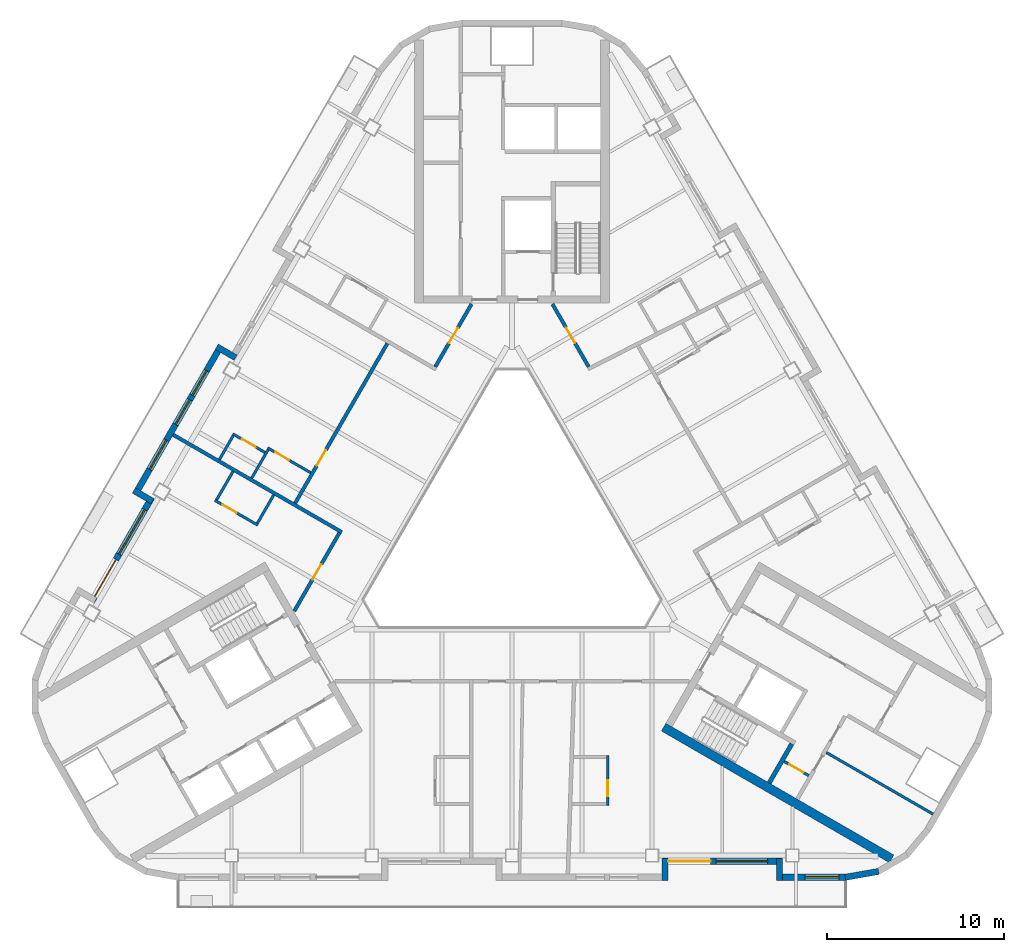
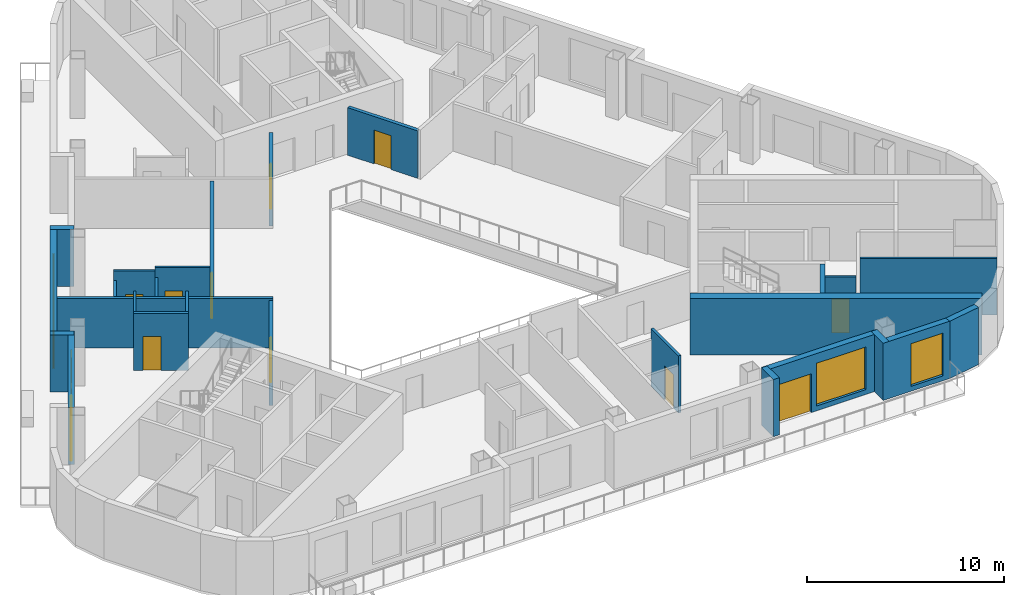
# One storey, part 4 of 14: 26 walls, 11 doors, 6 windows, 17 openings.
"""IFC4 building model written with IfcOpenShell, lengths in metres."""

from ifc_helpers import new_model, si_unit, direction, frame, frame_2d, origin, place, context, subcontext, project, spatial, rectangle, extrude, material, layer, layer_set, type_object, element, fill, save


model = new_model("IFC4")

# Units and contexts
model_context = context("Model", 3, precision=1e-05, world=origin(), true_north=direction((0.0, 1.0)))
body_context = subcontext(model_context, "Body", "Model", "MODEL_VIEW")
ifc_project = project(units=[si_unit("LENGTHUNIT", "METRE"), si_unit("AREAUNIT", "SQUARE_METRE"), si_unit("VOLUMEUNIT", "CUBIC_METRE"), si_unit("PLANEANGLEUNIT", "RADIAN"), si_unit("MASSUNIT", "GRAM", prefix="KILO")], contexts=[model_context])

# Site, building, storey
site_placement = place(None, origin())
site = spatial("IfcSite", under=ifc_project, at=site_placement, CompositionType="ELEMENT")
building_placement = place(site_placement, origin())
building = spatial("IfcBuilding", under=site, at=building_placement, Name="Apuvela Tower Hotel", CompositionType="ELEMENT")
storey_placement = place(building_placement, frame((0.0, 0.0, 209.5)))
storey = spatial("IfcBuildingStorey", under=building, at=storey_placement, Name="L51", CompositionType="ELEMENT", Elevation=209.5)

# Wall
ifc_material_1 = material(Name="Concrete C50/60", Category="concrete")
ifc_layer_1 = layer(ifc_material_1, 0.5)
ifc_layer_set_1 = layer_set([ifc_layer_1], Name="COR-WALL-CORE-500")
wall_type_1 = type_object("IfcWallType", Name="COR-WALL-CORE-500", PredefinedType="SHEAR", material=ifc_layer_set_1)
wall_1_placement = place(storey_placement, frame((8.546630859375, -10.99658203125, 0.0), z_axis=(0.0, 0.0, 1.0), x_axis=(0.866025009528, -0.500000682871, 0.0)))
element("IfcWall", 1, at=wall_1_placement, inside=storey, type_object=wall_type_1, Name="Core wall SE", PredefinedType="SHEAR", context=body_context, shape_type="SweptSolid", body=[
    extrude(rectangle(XDim=14.8369140625, YDim=0.5, at=frame_2d((7.41845703125, 0.0))), origin(), (0.0, 0.0, 1.0), 3.5),
])

# Wall, opening, door
ifc_material_2 = material(Name="Blockwork 150 mm plastered", Category="masonry")
ifc_layer_2 = layer(ifc_material_2, 0.14990234375)
ifc_layer_set_2 = layer_set([ifc_layer_2], Name="COR-WALL-PART-150")
wall_type_2 = type_object("IfcWallType", Name="COR-WALL-PART-150", PredefinedType="PARTITIONING", material=ifc_layer_set_2)
wall_2_placement = place(storey_placement, frame((15.341552734375, -12.927734375, 0.0), z_axis=(0.0, 0.0, 1.0), x_axis=(0.865989903783, -0.500061482766, 0.0)))
wall_2 = element("IfcWall", 2, at=wall_2_placement, inside=storey, type_object=wall_type_2, Name="Partition SE", PredefinedType="PARTITIONING", context=body_context, shape_type="SweptSolid", body=[
    extrude(rectangle(XDim=1.599853515625, YDim=0.14990234375, at=frame_2d((0.7998046875, 0.0))), origin(), (0.0, 0.0, 1.0), 3.5),
])
opening_1_placement = place(wall_2_placement, frame((0.35009765625, 0.0, 0.0)))
opening_1 = element("IfcOpeningElement", 3, at=opening_1_placement, cuts=wall_2, Name="Opening E-RD", PredefinedType="OPENING", context=body_context, shape_type="SweptSolid", body=[
    extrude(rectangle(XDim=0.89990234375, YDim=2.10009765625, at=frame_2d((0.449951171875, 1.050048828125))), frame((0.0, 0.0849609375, 0.0), z_axis=(0.0, -1.0, 0.0), x_axis=(1.0, 0.0, 0.0)), (0.0, 0.0, 1.0), 0.169921875),
])
ifc_material_3 = material(Name="Steel access door, powder coated", Category="steel")
door_type_1 = type_object("IfcDoorType", Name="COR-RD-900", OperationType="NOTDEFINED", PredefinedType="DOOR", material=ifc_material_3)
door_1_placement = place(opening_1_placement, frame((0.89990234375, 0.0, 0.0), z_axis=(0.0, 0.0, 1.0), x_axis=(-1.0, 0.0, 0.0)))
door_1 = element("IfcDoor", 4, at=door_1_placement, inside=storey, type_object=door_type_1, Name="Riser door E-RD", OperationType="SINGLE_SWING_LEFT", OverallHeight=2.10009765625, OverallWidth=0.89990234375, PredefinedType="DOOR", context=body_context, shape_type="SweptSolid", body=[
    extrude(rectangle(XDim=0.89990234375, YDim=2.10009765625, at=frame_2d((0.449951171875, 1.050048828125))), frame((0.0, 0.02490234375, 0.0), z_axis=(0.0, -1.0, 0.0), x_axis=(1.0, 0.0, 0.0)), (0.0, 0.0, 1.0), 0.050048828125),
])
fill(opening_1, door_1)

# Walls
wall_3_placement = place(storey_placement, frame((17.712890625, -12.42041015625, 0.0), z_axis=(0.0, 0.0, 1.0), x_axis=(0.866016523273, -0.500015381182, 0.0)))
element("IfcWall", 5, at=wall_3_placement, inside=storey, type_object=wall_type_2, Name="Partition SE", PredefinedType="PARTITIONING", context=body_context, shape_type="SweptSolid", body=[
    extrude(rectangle(XDim=6.949951171875, YDim=0.14990234375, at=frame_2d((3.47509765625, 0.0))), origin(), (0.0, 0.0, 1.0), 3.5),
])
ifc_layer_3 = layer(ifc_material_1, 0.25)
ifc_layer_set_3 = layer_set([ifc_layer_3], Name="COR-WALL-STAIR-250")
wall_type_3 = type_object("IfcWallType", Name="COR-WALL-STAIR-250", PredefinedType="SHEAR", material=ifc_layer_set_3)
wall_4_placement = place(storey_placement, frame((14.49560546875, -14.142578125, 0.0), z_axis=(0.0, 0.0, 1.0), x_axis=(0.500062241894, 0.865989465428, 0.0)))
element("IfcWall", 6, at=wall_4_placement, inside=storey, type_object=wall_type_3, Name="Stair wall SE", PredefinedType="SHEAR", context=body_context, shape_type="SweptSolid", body=[
    extrude(rectangle(XDim=2.550048828125, YDim=0.25, at=frame_2d((1.27490234375, 0.0))), origin(), (0.0, 0.0, 1.0), 3.5),
])
ifc_material_4 = material(Name="Concrete C40/50, dark pigmented precast panel", Category="concrete")
ifc_layer_4 = layer(ifc_material_4, 0.35009765625)
ifc_layer_set_4 = layer_set([ifc_layer_4], Name="ENV-WALL-350")
wall_type_4 = type_object("IfcWallType", Name="ENV-WALL-350", PredefinedType="SOLIDWALL", material=ifc_layer_set_4)
wall_5_placement = place(storey_placement, frame((-15.580810546875, 9.8330078125, 0.0), z_axis=(0.0, 0.0, 1.0), x_axis=(-0.866055662726, 0.499947586314, 0.0)))
element("IfcWall", 7, at=wall_5_placement, inside=storey, type_object=wall_type_4, Name="External wall L51-04", PredefinedType="SOLIDWALL", context=body_context, shape_type="SweptSolid", body=[
    extrude(rectangle(XDim=1.220458984375, YDim=0.35009765625, at=frame_2d((0.6103515625, 0.0))), origin(), (0.0, 0.0, 1.0), 3.550048828125),
])

# Wall, openings, windows
wall_6_placement = place(storey_placement, frame((-16.3984375, 10.507080078125, 0.0), z_axis=(0.0, 0.0, 1.0), x_axis=(-0.499999142773, -0.866025898704, 0.0)))
wall_6 = element("IfcWall", 8, at=wall_6_placement, inside=storey, type_object=wall_type_4, Name="External wall L51-05", PredefinedType="SOLIDWALL", context=body_context, shape_type="SweptSolid", body=[
    extrude(rectangle(XDim=9.7001953125, YDim=0.35009765625, at=frame_2d((4.85009765625, 0.0))), origin(), (0.0, 0.0, 1.0), 3.550048828125),
])
opening_2_placement = place(wall_6_placement, frame((1.625, 0.0, 0.300048828125)))
opening_2 = element("IfcOpeningElement", 9, at=opening_2_placement, cuts=wall_6, Name="Opening WN16", PredefinedType="OPENING", context=body_context, shape_type="SweptSolid", body=[
    extrude(rectangle(XDim=1.60009765625, YDim=2.64990234375, at=frame_2d((0.800048828125, 1.324951171875))), frame((0.0, 0.18505859375, 0.0), z_axis=(0.0, -1.0, 0.0), x_axis=(1.0, 0.0, 0.0)), (0.0, 0.0, 1.0), 0.3701171875),
])
opening_3_placement = place(wall_6_placement, frame((3.525146484375, 0.0, 0.300048828125)))
opening_3 = element("IfcOpeningElement", 10, at=opening_3_placement, cuts=wall_6, Name="Opening WN16", PredefinedType="OPENING", context=body_context, shape_type="SweptSolid", body=[
    extrude(rectangle(XDim=1.60009765625, YDim=2.64990234375, at=frame_2d((0.800048828125, 1.324951171875))), frame((0.0, 0.18505859375, 0.0), z_axis=(0.0, -1.0, 0.0), x_axis=(1.0, 0.0, 0.0)), (0.0, 0.0, 1.0), 0.3701171875),
])
opening_4_placement = place(wall_6_placement, frame((6.14990234375, 0.0, 0.300048828125)))
opening_4 = element("IfcOpeningElement", 11, at=opening_4_placement, cuts=wall_6, Name="Opening WN19", PredefinedType="OPENING", context=body_context, shape_type="SweptSolid", body=[
    extrude(rectangle(XDim=1.89990234375, YDim=2.64990234375, at=frame_2d((0.949951171875, 1.324951171875))), frame((0.0, 0.18505859375, 0.0), z_axis=(0.0, -1.0, 0.0), x_axis=(1.0, 0.0, 0.0)), (0.0, 0.0, 1.0), 0.3701171875),
])
ifc_material_5 = material(Name="Glass, dark tinted laminated insulated glazing unit", Category="glass")
window_type_1 = type_object("IfcWindowType", Name="ENV-WIN-1600x2650", PartitioningType="SINGLE_PANEL", PredefinedType="WINDOW", material=ifc_material_5)
window_1_placement = place(opening_2_placement, origin())
window_1 = element("IfcWindow", 12, at=window_1_placement, inside=storey, type_object=window_type_1, Name="Window WN16", OverallHeight=2.64990234375, OverallWidth=1.60009765625, PartitioningType="SINGLE_PANEL", PredefinedType="WINDOW", context=body_context, shape_type="SweptSolid", body=[
    extrude(rectangle(XDim=1.60009765625, YDim=2.64990234375, at=frame_2d((0.800048828125, 1.324951171875))), frame((0.0, 0.030029296875, 0.0), z_axis=(0.0, -1.0, 0.0), x_axis=(1.0, 0.0, 0.0)), (0.0, 0.0, 1.0), 0.06005859375),
])
fill(opening_2, window_1)
window_2_placement = place(opening_3_placement, origin())
window_2 = element("IfcWindow", 13, at=window_2_placement, inside=storey, type_object=window_type_1, Name="Window WN16", OverallHeight=2.64990234375, OverallWidth=1.60009765625, PartitioningType="SINGLE_PANEL", PredefinedType="WINDOW", context=body_context, shape_type="SweptSolid", body=[
    extrude(rectangle(XDim=1.60009765625, YDim=2.64990234375, at=frame_2d((0.800048828125, 1.324951171875))), frame((0.0, 0.030029296875, 0.0), z_axis=(0.0, -1.0, 0.0), x_axis=(1.0, 0.0, 0.0)), (0.0, 0.0, 1.0), 0.06005859375),
])
fill(opening_3, window_2)
window_type_2 = type_object("IfcWindowType", Name="ENV-WIN-1900x2650", PartitioningType="SINGLE_PANEL", PredefinedType="WINDOW", material=ifc_material_5)
window_3_placement = place(opening_4_placement, origin())
window_3 = element("IfcWindow", 14, at=window_3_placement, inside=storey, type_object=window_type_2, Name="Window WN19", OverallHeight=2.64990234375, OverallWidth=1.89990234375, PartitioningType="SINGLE_PANEL", PredefinedType="WINDOW", context=body_context, shape_type="SweptSolid", body=[
    extrude(rectangle(XDim=1.89990234375, YDim=2.64990234375, at=frame_2d((0.949951171875, 1.324951171875))), frame((0.0, 0.030029296875, 0.0), z_axis=(0.0, -1.0, 0.0), x_axis=(1.0, 0.0, 0.0)), (0.0, 0.0, 1.0), 0.06005859375),
])
fill(opening_4, window_3)

# Wall
wall_7_placement = place(storey_placement, frame((-21.3125, 2.345703125, 0.0), z_axis=(0.0, 0.0, 1.0), x_axis=(0.866005645448, -0.500034220881, 0.0)))
element("IfcWall", 15, at=wall_7_placement, inside=storey, type_object=wall_type_4, Name="External wall L51-06", PredefinedType="SOLIDWALL", context=body_context, shape_type="SweptSolid", body=[
    extrude(rectangle(XDim=1.22021484375, YDim=0.35009765625, at=frame_2d((0.610107421875, 0.0))), origin(), (0.0, 0.0, 1.0), 3.550048828125),
])

# Wall, openings, door, window
wall_8_placement = place(storey_placement, frame((-20.30908203125, 1.93359375, 0.0), z_axis=(0.0, 0.0, 1.0), x_axis=(-0.499992114976, -0.866029956157, 0.0)))
wall_8 = element("IfcWall", 16, at=wall_8_placement, inside=storey, type_object=wall_type_4, Name="External wall L51-07", PredefinedType="SOLIDWALL", context=body_context, shape_type="SweptSolid", body=[
    extrude(rectangle(XDim=6.73974609375, YDim=0.35009765625, at=frame_2d((3.369873046875, 0.0))), origin(), (0.0, 0.0, 1.0), 3.550048828125),
])
opening_5_placement = place(wall_8_placement, frame((4.02001953125, 0.0, 0.0)))
opening_5 = element("IfcOpeningElement", 17, at=opening_5_placement, cuts=wall_8, Name="Opening BD24", PredefinedType="OPENING", context=body_context, shape_type="SweptSolid", body=[
    extrude(rectangle(XDim=2.39990234375, YDim=2.39990234375, at=frame_2d((1.199951171875, 1.199951171875))), frame((0.0, 0.18505859375, 0.0), z_axis=(0.0, -1.0, 0.0), x_axis=(1.0, 0.0, 0.0)), (0.0, 0.0, 1.0), 0.3701171875),
])
opening_6_placement = place(wall_8_placement, frame((0.77001953125, 0.0, 0.300048828125)))
opening_6 = element("IfcOpeningElement", 18, at=opening_6_placement, cuts=wall_8, Name="Opening WN29", PredefinedType="OPENING", context=body_context, shape_type="SweptSolid", body=[
    extrude(rectangle(XDim=2.89990234375, YDim=2.64990234375, at=frame_2d((1.449951171875, 1.324951171875))), frame((0.0, 0.18505859375, 0.0), z_axis=(0.0, -1.0, 0.0), x_axis=(1.0, 0.0, 0.0)), (0.0, 0.0, 1.0), 0.3701171875),
])
ifc_material_6 = material(Name="Aluminium 6063-T6, dark bronze anodised frame with dark tinted laminated glass", Category="aluminium")
door_type_2 = type_object("IfcDoorType", Name="ENV-DOOR-BALCONY-2400x2400", OperationType="SLIDING_TO_LEFT", PredefinedType="DOOR", material=ifc_material_6)
door_2_placement = place(opening_5_placement, frame((2.39990234375, 0.0, 0.0), z_axis=(0.0, 0.0, 1.0), x_axis=(-1.0, 0.0, 0.0)))
door_2 = element("IfcDoor", 19, at=door_2_placement, inside=storey, type_object=door_type_2, Name="Balcony door BD24", OperationType="SLIDING_TO_LEFT", OverallHeight=2.39990234375, OverallWidth=2.39990234375, PredefinedType="DOOR", context=body_context, shape_type="SweptSolid", body=[
    extrude(rectangle(XDim=2.39990234375, YDim=2.39990234375, at=frame_2d((1.199951171875, 1.199951171875))), frame((0.0, 0.02490234375, 0.0), z_axis=(0.0, -1.0, 0.0), x_axis=(1.0, 0.0, 0.0)), (0.0, 0.0, 1.0), 0.050048828125),
])
fill(opening_5, door_2)
window_type_3 = type_object("IfcWindowType", Name="ENV-WIN-2900x2650", PartitioningType="SINGLE_PANEL", PredefinedType="WINDOW", material=ifc_material_5)
window_4_placement = place(opening_6_placement, origin())
window_4 = element("IfcWindow", 20, at=window_4_placement, inside=storey, type_object=window_type_3, Name="Window WN29", OverallHeight=2.64990234375, OverallWidth=2.89990234375, PartitioningType="SINGLE_PANEL", PredefinedType="WINDOW", context=body_context, shape_type="SweptSolid", body=[
    extrude(rectangle(XDim=2.89990234375, YDim=2.64990234375, at=frame_2d((1.449951171875, 1.324951171875))), frame((0.0, 0.030029296875, 0.0), z_axis=(0.0, -1.0, 0.0), x_axis=(1.0, 0.0, 0.0)), (0.0, 0.0, 1.0), 0.06005859375),
])
fill(opening_6, window_4)

# Wall
wall_9_placement = place(storey_placement, frame((8.625, -19.6298828125, 0.0), z_axis=(0.0, 0.0, 1.0), x_axis=(0.0, 1.0, 0.0)))
element("IfcWall", 21, at=wall_9_placement, inside=storey, type_object=wall_type_4, Name="External wall L51-22", PredefinedType="SOLIDWALL", context=body_context, shape_type="SweptSolid", body=[
    extrude(rectangle(XDim=1.219970703125, YDim=0.35009765625, at=frame_2d((0.60986328125, 0.0))), origin(), (0.0, 0.0, 1.0), 3.550048828125),
])

# Wall, openings, door, window
wall_10_placement = place(storey_placement, frame((8.47998046875, -18.554931640625, 0.0), z_axis=(0.0, 0.0, 1.0), x_axis=(1.0, 0.0, 0.0)))
wall_10 = element("IfcWall", 22, at=wall_10_placement, inside=storey, type_object=wall_type_4, Name="External wall L51-23", PredefinedType="SOLIDWALL", context=body_context, shape_type="SweptSolid", body=[
    extrude(rectangle(XDim=6.739990234375, YDim=0.35009765625, at=frame_2d((3.3701171875, 0.0))), origin(), (0.0, 0.0, 1.0), 3.550048828125),
])
opening_7_placement = place(wall_10_placement, frame((0.3203125, 0.0, 0.0)))
opening_7 = element("IfcOpeningElement", 23, at=opening_7_placement, cuts=wall_10, Name="Opening BD24", PredefinedType="OPENING", context=body_context, shape_type="SweptSolid", body=[
    extrude(rectangle(XDim=2.39990234375, YDim=2.39990234375, at=frame_2d((1.199951171875, 1.199951171875))), frame((0.0, 0.18505859375, 0.0), z_axis=(0.0, -1.0, 0.0), x_axis=(1.0, 0.0, 0.0)), (0.0, 0.0, 1.0), 0.3701171875),
])
opening_8_placement = place(wall_10_placement, frame((3.020263671875, 0.0, 0.300048828125)))
opening_8 = element("IfcOpeningElement", 24, at=opening_8_placement, cuts=wall_10, Name="Opening WN29", PredefinedType="OPENING", context=body_context, shape_type="SweptSolid", body=[
    extrude(rectangle(XDim=2.89990234375, YDim=2.64990234375, at=frame_2d((1.449951171875, 1.324951171875))), frame((0.0, 0.18505859375, 0.0), z_axis=(0.0, -1.0, 0.0), x_axis=(1.0, 0.0, 0.0)), (0.0, 0.0, 1.0), 0.3701171875),
])
door_3_placement = place(opening_7_placement, frame((2.39990234375, 0.0, 0.0), z_axis=(0.0, 0.0, 1.0), x_axis=(-1.0, 0.0, 0.0)))
door_3 = element("IfcDoor", 25, at=door_3_placement, inside=storey, type_object=door_type_2, Name="Balcony door BD24", OperationType="SLIDING_TO_LEFT", OverallHeight=2.39990234375, OverallWidth=2.39990234375, PredefinedType="DOOR", context=body_context, shape_type="SweptSolid", body=[
    extrude(rectangle(XDim=2.39990234375, YDim=2.39990234375, at=frame_2d((1.199951171875, 1.199951171875))), frame((0.0, 0.02490234375, 0.0), z_axis=(0.0, -1.0, 0.0), x_axis=(1.0, 0.0, 0.0)), (0.0, 0.0, 1.0), 0.050048828125),
])
fill(opening_7, door_3)
window_5_placement = place(opening_8_placement, origin())
window_5 = element("IfcWindow", 26, at=window_5_placement, inside=storey, type_object=window_type_3, Name="Window WN29", OverallHeight=2.64990234375, OverallWidth=2.89990234375, PartitioningType="SINGLE_PANEL", PredefinedType="WINDOW", context=body_context, shape_type="SweptSolid", body=[
    extrude(rectangle(XDim=2.89990234375, YDim=2.64990234375, at=frame_2d((1.449951171875, 1.324951171875))), frame((0.0, 0.030029296875, 0.0), z_axis=(0.0, -1.0, 0.0), x_axis=(1.0, 0.0, 0.0)), (0.0, 0.0, 1.0), 0.06005859375),
])
fill(opening_8, window_5)

# Wall
wall_11_placement = place(storey_placement, frame((15.074951171875, -18.409912109375, 0.0), z_axis=(0.0, 0.0, 1.0), x_axis=(0.0, -1.0, 0.0)))
element("IfcWall", 27, at=wall_11_placement, inside=storey, type_object=wall_type_4, Name="External wall L51-24", PredefinedType="SOLIDWALL", context=body_context, shape_type="SweptSolid", body=[
    extrude(rectangle(XDim=1.219970703125, YDim=0.35009765625, at=frame_2d((0.60986328125, 0.0))), origin(), (0.0, 0.0, 1.0), 3.550048828125),
])

# Wall, opening, window
wall_12_placement = place(storey_placement, frame((14.89990234375, -19.455078125, 0.0), z_axis=(0.0, 0.0, 1.0), x_axis=(1.0, 0.0, 0.0)))
wall_12 = element("IfcWall", 28, at=wall_12_placement, inside=storey, type_object=wall_type_4, Name="External wall L51-25", PredefinedType="SOLIDWALL", context=body_context, shape_type="SweptSolid", body=[
    extrude(rectangle(XDim=3.916015625, YDim=0.35009765625, at=frame_2d((1.9580078125, 0.0))), origin(), (0.0, 0.0, 1.0), 3.550048828125),
])
opening_9_placement = place(wall_12_placement, frame((1.624755859375, 0.0, 0.300048828125)))
opening_9 = element("IfcOpeningElement", 29, at=opening_9_placement, cuts=wall_12, Name="Opening WN19", PredefinedType="OPENING", context=body_context, shape_type="SweptSolid", body=[
    extrude(rectangle(XDim=1.89990234375, YDim=2.64990234375, at=frame_2d((0.949951171875, 1.324951171875))), frame((0.0, 0.18505859375, 0.0), z_axis=(0.0, -1.0, 0.0), x_axis=(1.0, 0.0, 0.0)), (0.0, 0.0, 1.0), 0.3701171875),
])
window_6_placement = place(opening_9_placement, origin())
window_6 = element("IfcWindow", 30, at=window_6_placement, inside=storey, type_object=window_type_2, Name="Window WN19", OverallHeight=2.64990234375, OverallWidth=1.89990234375, PartitioningType="SINGLE_PANEL", PredefinedType="WINDOW", context=body_context, shape_type="SweptSolid", body=[
    extrude(rectangle(XDim=1.89990234375, YDim=2.64990234375, at=frame_2d((0.949951171875, 1.324951171875))), frame((0.0, 0.030029296875, 0.0), z_axis=(0.0, -1.0, 0.0), x_axis=(1.0, 0.0, 0.0)), (0.0, 0.0, 1.0), 0.06005859375),
])
fill(opening_9, window_6)

# Walls
wall_13_placement = place(storey_placement, frame((18.785400390625, -19.457763671875, 0.0), z_axis=(0.0, 0.0, 1.0), x_axis=(0.984798995425, 0.173697837091, 0.0)))
element("IfcWall", 31, at=wall_13_placement, inside=storey, type_object=wall_type_4, Name="External wall L51-26", PredefinedType="SOLIDWALL", context=body_context, shape_type="SweptSolid", body=[
    extrude(rectangle(XDim=1.91015625, YDim=0.35009765625, at=frame_2d((0.955078125, 0.0))), origin(), (0.0, 0.0, 1.0), 3.550048828125),
])
ifc_material_7 = material(Name="Gypsum board partition on twin steel stud", Category="steel")
ifc_layer_5 = layer(ifc_material_7, 0.199951171875)
ifc_layer_set_5 = layer_set([ifc_layer_5], Name="GST-PW1")
wall_type_5 = type_object("IfcWallType", Name="GST-PW1", PredefinedType="PARTITIONING", material=ifc_layer_set_5)
wall_14_placement = place(storey_placement, frame((-19.096923828125, 5.483154296875, 0.0), z_axis=(0.0, 0.0, 1.0), x_axis=(0.866027479907, -0.499996404033, 0.0)))
element("IfcWall", 32, at=wall_14_placement, inside=storey, type_object=wall_type_5, Name="L51 partition 06", PredefinedType="PARTITIONING", context=body_context, shape_type="SweptSolid", body=[
    extrude(rectangle(XDim=10.97998046875, YDim=0.199951171875, at=frame_2d((5.489990234375, 0.0))), origin(), (0.0, 0.0, 1.0), 3.06005859375),
])

# Wall, opening, door
ifc_material_8 = material(Name="Gypsum board corridor wall on twin steel stud, acoustic", Category="steel")
ifc_layer_6 = layer(ifc_material_8, 0.199951171875)
ifc_layer_set_6 = layer_set([ifc_layer_6], Name="GST-PW2")
wall_type_6 = type_object("IfcWallType", Name="GST-PW2", PredefinedType="PARTITIONING", material=ifc_layer_set_6)
wall_15_placement = place(storey_placement, frame((2.280517578125, 12.85009765625, 0.0), z_axis=(0.0, 0.0, 1.0), x_axis=(0.500010586081, -0.866019291821, 0.0)))
wall_15 = element("IfcWall", 33, at=wall_15_placement, inside=storey, type_object=wall_type_6, Name="L51 partition 27", PredefinedType="PARTITIONING", context=body_context, shape_type="SweptSolid", body=[
    extrude(rectangle(XDim=4.0830078125, YDim=0.199951171875, at=frame_2d((2.04150390625, 0.0))), origin(), (0.0, 0.0, 1.0), 2.949951171875),
])
opening_10_placement = place(wall_15_placement, frame((1.541259765625, 0.0, 0.0)))
opening_10 = element("IfcOpeningElement", 34, at=opening_10_placement, cuts=wall_15, Name="Opening GD20-13", PredefinedType="OPENING", context=body_context, shape_type="SweptSolid", body=[
    extrude(rectangle(XDim=1.0, YDim=2.10009765625, at=frame_2d((0.5, 1.050048828125))), frame((0.0, 0.10986328125, 0.0), z_axis=(0.0, -1.0, 0.0), x_axis=(1.0, 0.0, 0.0)), (0.0, 0.0, 1.0), 0.219970703125),
])
ifc_material_9 = material(Name="Timber door leaf in steel frame", Category="steel")
door_type_3 = type_object("IfcDoorType", Name="GST-D1", OperationType="NOTDEFINED", PredefinedType="DOOR", material=ifc_material_9)
door_4_placement = place(opening_10_placement, origin())
door_4 = element("IfcDoor", 35, at=door_4_placement, inside=storey, type_object=door_type_3, Name="Door L51-13", OperationType="SINGLE_SWING_RIGHT", OverallHeight=2.10009765625, OverallWidth=1.0, PredefinedType="DOOR", context=body_context, shape_type="SweptSolid", body=[
    extrude(rectangle(XDim=1.0, YDim=2.10009765625, at=frame_2d((0.5, 1.050048828125))), frame((0.0, 0.02490234375, 0.0), z_axis=(0.0, -1.0, 0.0), x_axis=(1.0, 0.0, 0.0)), (0.0, 0.0, 1.0), 0.050048828125),
])
fill(opening_10, door_4)

wall_16_placement = place(storey_placement, frame((-4.32470703125, 9.3095703125, 0.0), z_axis=(0.0, 0.0, 1.0), x_axis=(0.500011931275, 0.86601851515, 0.0)))
wall_16 = element("IfcWall", 36, at=wall_16_placement, inside=storey, type_object=wall_type_6, Name="L51 partition 31", PredefinedType="PARTITIONING", context=body_context, shape_type="SweptSolid", body=[
    extrude(rectangle(XDim=4.08837890625, YDim=0.199951171875, at=frame_2d((2.044189453125, 0.0))), origin(), (0.0, 0.0, 1.0), 2.949951171875),
])
opening_11_placement = place(wall_16_placement, frame((1.544189453125, 0.0, 0.0)))
opening_11 = element("IfcOpeningElement", 37, at=opening_11_placement, cuts=wall_16, Name="Opening GD20-15", PredefinedType="OPENING", context=body_context, shape_type="SweptSolid", body=[
    extrude(rectangle(XDim=1.0, YDim=2.10009765625, at=frame_2d((0.5, 1.050048828125))), frame((0.0, 0.10986328125, 0.0), z_axis=(0.0, -1.0, 0.0), x_axis=(1.0, 0.0, 0.0)), (0.0, 0.0, 1.0), 0.219970703125),
])
door_5_placement = place(opening_11_placement, origin())
door_5 = element("IfcDoor", 38, at=door_5_placement, inside=storey, type_object=door_type_3, Name="Door L51-15", OperationType="SINGLE_SWING_LEFT", OverallHeight=2.10009765625, OverallWidth=1.0, PredefinedType="DOOR", context=body_context, shape_type="SweptSolid", body=[
    extrude(rectangle(XDim=1.0, YDim=2.10009765625, at=frame_2d((0.5, 1.050048828125))), frame((0.0, 0.02490234375, 0.0), z_axis=(0.0, -1.0, 0.0), x_axis=(1.0, 0.0, 0.0)), (0.0, 0.0, 1.0), 0.050048828125),
])
fill(opening_11, door_5)

wall_17_placement = place(storey_placement, frame((-12.22265625, 1.629638671875, 0.0), z_axis=(0.0, 0.0, 1.0), x_axis=(0.499999493275, 0.866025696342, 0.0)))
wall_17 = element("IfcWall", 39, at=wall_17_placement, inside=storey, type_object=wall_type_6, Name="L51 partition 35", PredefinedType="PARTITIONING", context=body_context, shape_type="SweptSolid", body=[
    extrude(rectangle(XDim=10.39990234375, YDim=0.199951171875, at=frame_2d((5.199951171875, 0.0))), origin(), (0.0, 0.0, 1.0), 2.949951171875),
])
opening_12_placement = place(wall_17_placement, frame((2.449951171875, 0.0, 0.0)))
opening_12 = element("IfcOpeningElement", 40, at=opening_12_placement, cuts=wall_17, Name="Opening GD20-18", PredefinedType="OPENING", context=body_context, shape_type="SweptSolid", body=[
    extrude(rectangle(XDim=1.0, YDim=2.10009765625, at=frame_2d((0.5, 1.050048828125))), frame((0.0, 0.10986328125, 0.0), z_axis=(0.0, -1.0, 0.0), x_axis=(1.0, 0.0, 0.0)), (0.0, 0.0, 1.0), 0.219970703125),
])
door_6_placement = place(opening_12_placement, origin())
door_6 = element("IfcDoor", 41, at=door_6_placement, inside=storey, type_object=door_type_3, Name="Door L51-18", OperationType="SINGLE_SWING_RIGHT", OverallHeight=2.10009765625, OverallWidth=1.0, PredefinedType="DOOR", context=body_context, shape_type="SweptSolid", body=[
    extrude(rectangle(XDim=1.0, YDim=2.10009765625, at=frame_2d((0.5, 1.050048828125))), frame((0.0, 0.02490234375, 0.0), z_axis=(0.0, -1.0, 0.0), x_axis=(1.0, 0.0, 0.0)), (0.0, 0.0, 1.0), 0.050048828125),
])
fill(opening_12, door_6)

wall_18_placement = place(storey_placement, frame((-12.268798828125, -4.449951171875, 0.0), z_axis=(0.0, 0.0, 1.0), x_axis=(0.500014573982, 0.866016989329, 0.0)))
wall_18 = element("IfcWall", 42, at=wall_18_placement, inside=storey, type_object=wall_type_6, Name="L51 partition 40", PredefinedType="PARTITIONING", context=body_context, shape_type="SweptSolid", body=[
    extrude(rectangle(XDim=5.088134765625, YDim=0.199951171875, at=frame_2d((2.5439453125, 0.0))), origin(), (0.0, 0.0, 1.0), 2.949951171875),
])
opening_13_placement = place(wall_18_placement, frame((2.044189453125, 0.0, 0.0)))
opening_13 = element("IfcOpeningElement", 43, at=opening_13_placement, cuts=wall_18, Name="Opening GD20-20", PredefinedType="OPENING", context=body_context, shape_type="SweptSolid", body=[
    extrude(rectangle(XDim=1.0, YDim=2.10009765625, at=frame_2d((0.5, 1.050048828125))), frame((0.0, 0.10986328125, 0.0), z_axis=(0.0, -1.0, 0.0), x_axis=(1.0, 0.0, 0.0)), (0.0, 0.0, 1.0), 0.219970703125),
])
door_7_placement = place(opening_13_placement, origin())
door_7 = element("IfcDoor", 44, at=door_7_placement, inside=storey, type_object=door_type_3, Name="Door L51-20", OperationType="SINGLE_SWING_RIGHT", OverallHeight=2.10009765625, OverallWidth=1.0, PredefinedType="DOOR", context=body_context, shape_type="SweptSolid", body=[
    extrude(rectangle(XDim=1.0, YDim=2.10009765625, at=frame_2d((0.5, 1.050048828125))), frame((0.0, 0.02490234375, 0.0), z_axis=(0.0, -1.0, 0.0), x_axis=(1.0, 0.0, 0.0)), (0.0, 0.0, 1.0), 0.050048828125),
])
fill(opening_13, door_7)

ifc_material_10 = material(Name="Moisture-resistant gypsum board wet wall on steel stud", Category="steel")
ifc_layer_7 = layer(ifc_material_10, 0.14990234375)
ifc_layer_set_7 = layer_set([ifc_layer_7], Name="GST-PW3")
wall_type_7 = type_object("IfcWallType", Name="GST-PW3", PredefinedType="PARTITIONING", material=ifc_layer_set_7)
wall_19_placement = place(storey_placement, frame((5.391845703125, -15.39990234375, 0.0), z_axis=(0.0, 0.0, 1.0), x_axis=(0.0, 1.0, 0.0)))
wall_19 = element("IfcWall", 45, at=wall_19_placement, inside=storey, type_object=wall_type_7, Name="L51 partition 15", PredefinedType="PARTITIONING", context=body_context, shape_type="SweptSolid", body=[
    extrude(rectangle(XDim=2.7998046875, YDim=0.14990234375, at=frame_2d((1.39990234375, 0.0))), origin(), (0.0, 0.0, 1.0), 3.550048828125),
])
opening_14_placement = place(wall_19_placement, frame((0.5, 0.0, 0.0)))
opening_14 = element("IfcOpeningElement", 46, at=opening_14_placement, cuts=wall_19, Name="Opening GD20-05", PredefinedType="OPENING", context=body_context, shape_type="SweptSolid", body=[
    extrude(rectangle(XDim=0.89990234375, YDim=2.10009765625, at=frame_2d((0.449951171875, 1.050048828125))), frame((0.0, 0.0849609375, 0.0), z_axis=(0.0, -1.0, 0.0), x_axis=(1.0, 0.0, 0.0)), (0.0, 0.0, 1.0), 0.169921875),
])
door_type_4 = type_object("IfcDoorType", Name="GST-D2", OperationType="NOTDEFINED", PredefinedType="DOOR", material=ifc_material_9)
door_8_placement = place(opening_14_placement, origin())
door_8 = element("IfcDoor", 47, at=door_8_placement, inside=storey, type_object=door_type_4, Name="Door L51-05", OperationType="SINGLE_SWING_LEFT", OverallHeight=2.10009765625, OverallWidth=0.89990234375, PredefinedType="DOOR", context=body_context, shape_type="SweptSolid", body=[
    extrude(rectangle(XDim=0.89990234375, YDim=2.10009765625, at=frame_2d((0.449951171875, 1.050048828125))), frame((0.0, 0.02490234375, 0.0), z_axis=(0.0, -1.0, 0.0), x_axis=(1.0, 0.0, 0.0)), (0.0, 0.0, 1.0), 0.050048828125),
])
fill(opening_14, door_8)

wall_20_placement = place(storey_placement, frame((-11.3466796875, 3.3466796875, 0.0), z_axis=(0.0, 0.0, 1.0), x_axis=(-0.866018616679, 0.500011755427, 0.0)))
wall_20 = element("IfcWall", 48, at=wall_20_placement, inside=storey, type_object=wall_type_7, Name="L51 partition 36", PredefinedType="PARTITIONING", context=body_context, shape_type="SweptSolid", body=[
    extrude(rectangle(XDim=2.80029296875, YDim=0.14990234375, at=frame_2d((1.400146484375, 0.0))), origin(), (0.0, 0.0, 1.0), 3.550048828125),
])
opening_15_placement = place(wall_20_placement, frame((1.39990234375, 0.0, 0.0)))
opening_15 = element("IfcOpeningElement", 49, at=opening_15_placement, cuts=wall_20, Name="Opening GD20-16", PredefinedType="OPENING", context=body_context, shape_type="SweptSolid", body=[
    extrude(rectangle(XDim=0.89990234375, YDim=2.10009765625, at=frame_2d((0.449951171875, 1.050048828125))), frame((0.0, 0.0849609375, 0.0), z_axis=(0.0, -1.0, 0.0), x_axis=(1.0, 0.0, 0.0)), (0.0, 0.0, 1.0), 0.169921875),
])
door_9_placement = place(opening_15_placement, origin())
door_9 = element("IfcDoor", 50, at=door_9_placement, inside=storey, type_object=door_type_4, Name="Door L51-16", OperationType="SINGLE_SWING_RIGHT", OverallHeight=2.10009765625, OverallWidth=0.89990234375, PredefinedType="DOOR", context=body_context, shape_type="SweptSolid", body=[
    extrude(rectangle(XDim=0.89990234375, YDim=2.10009765625, at=frame_2d((0.449951171875, 1.050048828125))), frame((0.0, 0.02490234375, 0.0), z_axis=(0.0, -1.0, 0.0), x_axis=(1.0, 0.0, 0.0)), (0.0, 0.0, 1.0), 0.050048828125),
])
fill(opening_15, door_9)

# Wall
wall_21_placement = place(storey_placement, frame((-13.744140625, 4.644287109375, 0.0), z_axis=(0.0, 0.0, 1.0), x_axis=(-0.500042316284, -0.866000971088, 0.0)))
element("IfcWall", 51, at=wall_21_placement, inside=storey, type_object=wall_type_7, Name="L51 partition 37", PredefinedType="PARTITIONING", context=body_context, shape_type="SweptSolid", body=[
    extrude(rectangle(XDim=1.849853515625, YDim=0.14990234375, at=frame_2d((0.9248046875, 0.0))), origin(), (0.0, 0.0, 1.0), 2.949951171875),
])

# Wall, opening, door
wall_22_placement = place(storey_placement, frame((-13.921630859375, 4.487060546875, 0.0), z_axis=(0.0, 0.0, 1.0), x_axis=(-0.866009402589, 0.500027713859, 0.0)))
wall_22 = element("IfcWall", 52, at=wall_22_placement, inside=storey, type_object=wall_type_7, Name="L51 partition 38", PredefinedType="PARTITIONING", context=body_context, shape_type="SweptSolid", body=[
    extrude(rectangle(XDim=2.10009765625, YDim=0.14990234375, at=frame_2d((1.050048828125, 0.0))), origin(), (0.0, 0.0, 1.0), 3.550048828125),
])
opening_16_placement = place(wall_22_placement, frame((0.60009765625, 0.0, 0.0)))
opening_16 = element("IfcOpeningElement", 53, at=opening_16_placement, cuts=wall_22, Name="Opening GD20-17", PredefinedType="OPENING", context=body_context, shape_type="SweptSolid", body=[
    extrude(rectangle(XDim=0.89990234375, YDim=2.10009765625, at=frame_2d((0.449951171875, 1.050048828125))), frame((0.0, 0.0849609375, 0.0), z_axis=(0.0, -1.0, 0.0), x_axis=(1.0, 0.0, 0.0)), (0.0, 0.0, 1.0), 0.169921875),
])
door_10_placement = place(opening_16_placement, origin())
door_10 = element("IfcDoor", 54, at=door_10_placement, inside=storey, type_object=door_type_4, Name="Door L51-17", OperationType="SINGLE_SWING_RIGHT", OverallHeight=2.10009765625, OverallWidth=0.89990234375, PredefinedType="DOOR", context=body_context, shape_type="SweptSolid", body=[
    extrude(rectangle(XDim=0.89990234375, YDim=2.10009765625, at=frame_2d((0.449951171875, 1.050048828125))), frame((0.0, 0.02490234375, 0.0), z_axis=(0.0, -1.0, 0.0), x_axis=(1.0, 0.0, 0.0)), (0.0, 0.0, 1.0), 0.050048828125),
])
fill(opening_16, door_10)

# Wall
wall_23_placement = place(storey_placement, frame((-15.712890625, 5.4345703125, 0.0), z_axis=(0.0, 0.0, 1.0), x_axis=(-0.499967891604, -0.866043940782, 0.0)))
element("IfcWall", 55, at=wall_23_placement, inside=storey, type_object=wall_type_7, Name="L51 partition 39", PredefinedType="PARTITIONING", context=body_context, shape_type="SweptSolid", body=[
    extrude(rectangle(XDim=1.5498046875, YDim=0.14990234375, at=frame_2d((0.77490234375, 0.0))), origin(), (0.0, 0.0, 1.0), 2.949951171875),
])

# Wall, opening, door
wall_24_placement = place(storey_placement, frame((-16.749267578125, 1.789306640625, 0.0), z_axis=(0.0, 0.0, 1.0), x_axis=(0.866034573852, -0.49998411664, 0.0)))
wall_24 = element("IfcWall", 56, at=wall_24_placement, inside=storey, type_object=wall_type_7, Name="L51 partition 41", PredefinedType="PARTITIONING", context=body_context, shape_type="SweptSolid", body=[
    extrude(rectangle(XDim=2.7998046875, YDim=0.14990234375, at=frame_2d((1.39990234375, 0.0))), origin(), (0.0, 0.0, 1.0), 3.550048828125),
])
opening_17_placement = place(wall_24_placement, frame((0.5, 0.0, 0.0)))
opening_17 = element("IfcOpeningElement", 57, at=opening_17_placement, cuts=wall_24, Name="Opening GD20-19", PredefinedType="OPENING", context=body_context, shape_type="SweptSolid", body=[
    extrude(rectangle(XDim=0.89990234375, YDim=2.10009765625, at=frame_2d((0.449951171875, 1.050048828125))), frame((0.0, 0.0849609375, 0.0), z_axis=(0.0, -1.0, 0.0), x_axis=(1.0, 0.0, 0.0)), (0.0, 0.0, 1.0), 0.169921875),
])
door_11_placement = place(opening_17_placement, origin())
door_11 = element("IfcDoor", 58, at=door_11_placement, inside=storey, type_object=door_type_4, Name="Door L51-19", OperationType="SINGLE_SWING_LEFT", OverallHeight=2.10009765625, OverallWidth=0.89990234375, PredefinedType="DOOR", context=body_context, shape_type="SweptSolid", body=[
    extrude(rectangle(XDim=0.89990234375, YDim=2.10009765625, at=frame_2d((0.449951171875, 1.050048828125))), frame((0.0, 0.02490234375, 0.0), z_axis=(0.0, -1.0, 0.0), x_axis=(1.0, 0.0, 0.0)), (0.0, 0.0, 1.0), 0.050048828125),
])
fill(opening_17, door_11)

# Walls
wall_25_placement = place(storey_placement, frame((-15.7216796875, 3.4189453125, 0.0), z_axis=(0.0, 0.0, 1.0), x_axis=(-0.500042316284, -0.866000971088, 0.0)))
element("IfcWall", 59, at=wall_25_placement, inside=storey, type_object=wall_type_7, Name="L51 partition 42", PredefinedType="PARTITIONING", context=body_context, shape_type="SweptSolid", body=[
    extrude(rectangle(XDim=1.849853515625, YDim=0.14990234375, at=frame_2d((0.9248046875, 0.0))), origin(), (0.0, 0.0, 1.0), 3.550048828125),
])
wall_26_placement = place(storey_placement, frame((-13.427001953125, 2.093994140625, 0.0), z_axis=(0.0, 0.0, 1.0), x_axis=(-0.499886193382, -0.866091100096, 0.0)))
element("IfcWall", 60, at=wall_26_placement, inside=storey, type_object=wall_type_7, Name="L51 partition 43", PredefinedType="PARTITIONING", context=body_context, shape_type="SweptSolid", body=[
    extrude(rectangle(XDim=1.85009765625, YDim=0.14990234375, at=frame_2d((0.925048828125, 0.0))), origin(), (0.0, 0.0, 1.0), 3.550048828125),
])

save(model, "model.ifc")
